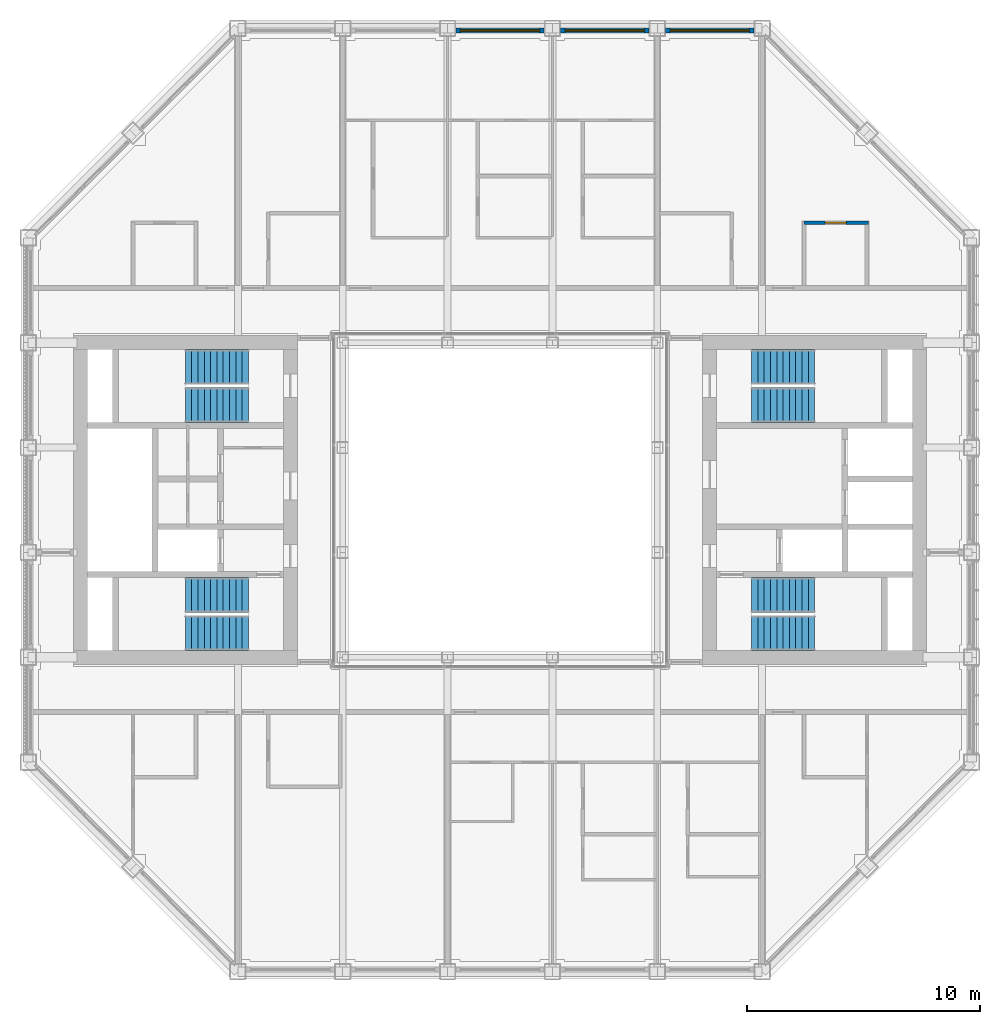
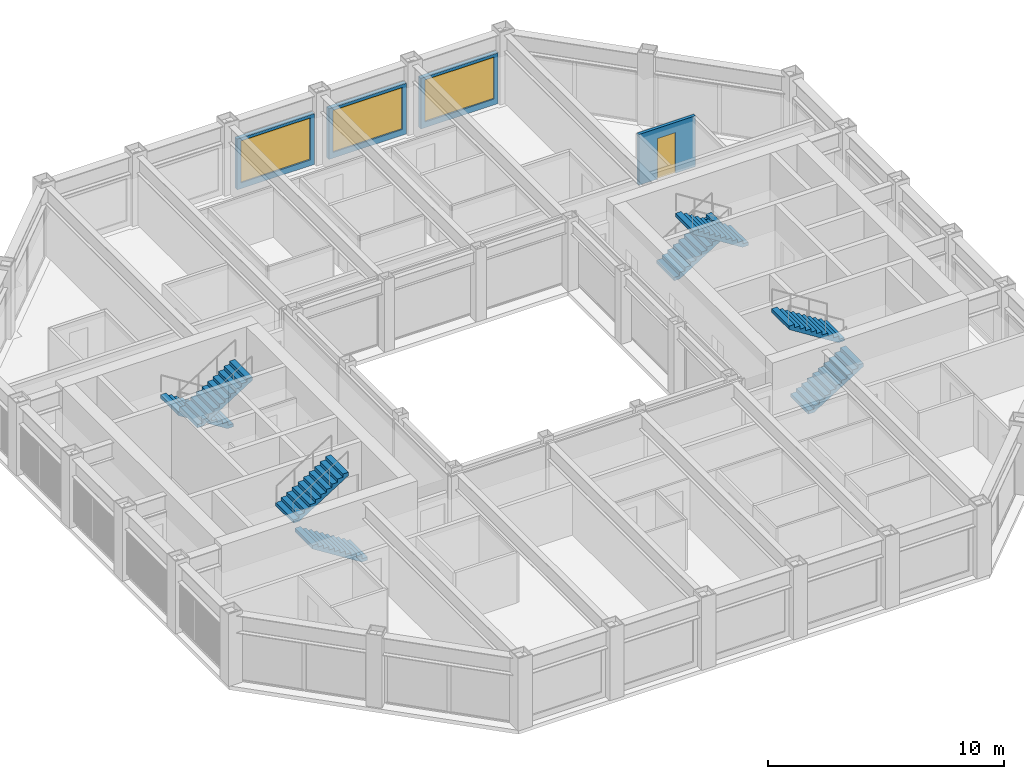
# One storey, part 13 of 17: 8 stair flights, 4 walls, 3 windows, 1 door, 4 openings, 4 elements without a shape of their own.
"""IFC4 building model written with IfcOpenShell, lengths in metres."""

from ifc_helpers import new_model, si_unit, direction, frame, frame_2d, origin, place, context, subcontext, project, spatial, polyline, rectangle, outline, extrude, material, layer, layer_set, type_object, element, fill, aggregate, save


model = new_model("IFC4")

# Units and contexts
model_context = context("Model", 3, precision=1e-05, world=origin(), true_north=direction((0.0, 1.0)))
body_context = subcontext(model_context, "Body", "Model", "MODEL_VIEW")
ifc_project = project(units=[si_unit("LENGTHUNIT", "METRE"), si_unit("AREAUNIT", "SQUARE_METRE"), si_unit("VOLUMEUNIT", "CUBIC_METRE"), si_unit("PLANEANGLEUNIT", "RADIAN"), si_unit("MASSUNIT", "GRAM", prefix="KILO")], contexts=[model_context])

# Site, building, storey
site_placement = place(None, origin())
site = spatial("IfcSite", under=ifc_project, at=site_placement, CompositionType="ELEMENT")
building_placement = place(site_placement, origin())
building = spatial("IfcBuilding", under=site, at=building_placement, Name="Msasa Ring Tower", CompositionType="ELEMENT")
storey_placement = place(building_placement, frame((0.0, 0.0, 242.050048828125)))
storey = spatial("IfcBuildingStorey", under=building, at=storey_placement, Name="L63", CompositionType="ELEMENT", Elevation=242.050048828125)

# Wall, opening, window
ifc_material_1 = material(Name="Terracotta rainscreen on blockwork", Category="masonry")
ifc_layer_1 = layer(ifc_material_1, 0.199951171875)
ifc_layer_set_1 = layer_set([ifc_layer_1], Name="FW1 TERRACOTTA-LINED INFILL BAY WALL 200")
wall_type_1 = type_object("IfcWallType", Name="FW1 TERRACOTTA-LINED INFILL BAY WALL 200", PredefinedType="SOLIDWALL", material=ifc_layer_set_1)
wall_1_placement = place(storey_placement, frame((-1.89501953125, 20.14990234375, 0.0), z_axis=(0.0, 0.0, 1.0), x_axis=(1.0, 0.0, 0.0)))
wall_1 = element("IfcWall", 1, at=wall_1_placement, inside=storey, type_object=wall_type_1, Name="Infill bay wall N L63 16", PredefinedType="SOLIDWALL", context=body_context, shape_type="SweptSolid", body=[
    extrude(rectangle(XDim=3.7900390625, YDim=0.199951171875, at=frame_2d((1.89501953125, 0.0))), origin(), (0.0, 0.0, 1.0), 2.62890625),
])
opening_1_placement = place(wall_1_placement, frame((0.195068359375, 0.0, 0.300048828125)))
opening_1 = element("IfcOpeningElement", 2, at=opening_1_placement, cuts=wall_1, Name="Opening WN3", PredefinedType="OPENING", context=body_context, shape_type="SweptSolid", body=[
    extrude(rectangle(XDim=3.39990234375, YDim=2.178955078125, at=frame_2d((1.699951171875, 1.08935546875))), frame((0.0, 0.10986328125, 0.0), z_axis=(0.0, -1.0, 0.0), x_axis=(1.0, 0.0, 0.0)), (0.0, 0.0, 1.0), 0.219970703125),
])
ifc_material_2 = material(Name="Aluminium frame with clear glass", Category="aluminium")
window_type = type_object("IfcWindowType", Name="WN3 SUITE WINDOW 3400x2179", PartitioningType="SINGLE_PANEL", PredefinedType="WINDOW", material=ifc_material_2)
window_1_placement = place(opening_1_placement, origin())
window_1 = element("IfcWindow", 3, at=window_1_placement, inside=storey, type_object=window_type, Name="Window N L63 16", OverallHeight=2.178955078125, OverallWidth=3.39990234375, PartitioningType="SINGLE_PANEL", PredefinedType="WINDOW", context=body_context, shape_type="SweptSolid", body=[
    extrude(rectangle(XDim=3.39990234375, YDim=2.178955078125, at=frame_2d((1.699951171875, 1.08935546875))), frame((0.0, 0.030029296875, 0.0), z_axis=(0.0, -1.0, 0.0), x_axis=(1.0, 0.0, 0.0)), (0.0, 0.0, 1.0), 0.06005859375),
])
fill(opening_1, window_1)

wall_2_placement = place(storey_placement, frame((2.60498046875, 20.14990234375, 0.0), z_axis=(0.0, 0.0, 1.0), x_axis=(1.0, 0.0, 0.0)))
wall_2 = element("IfcWall", 4, at=wall_2_placement, inside=storey, type_object=wall_type_1, Name="Infill bay wall N L63 17", PredefinedType="SOLIDWALL", context=body_context, shape_type="SweptSolid", body=[
    extrude(rectangle(XDim=3.7900390625, YDim=0.199951171875, at=frame_2d((1.89501953125, 0.0))), origin(), (0.0, 0.0, 1.0), 2.62890625),
])
opening_2_placement = place(wall_2_placement, frame((0.195068359375, 0.0, 0.300048828125)))
opening_2 = element("IfcOpeningElement", 5, at=opening_2_placement, cuts=wall_2, Name="Opening WN3", PredefinedType="OPENING", context=body_context, shape_type="SweptSolid", body=[
    extrude(rectangle(XDim=3.39990234375, YDim=2.178955078125, at=frame_2d((1.699951171875, 1.08935546875))), frame((0.0, 0.10986328125, 0.0), z_axis=(0.0, -1.0, 0.0), x_axis=(1.0, 0.0, 0.0)), (0.0, 0.0, 1.0), 0.219970703125),
])
window_2_placement = place(opening_2_placement, origin())
window_2 = element("IfcWindow", 6, at=window_2_placement, inside=storey, type_object=window_type, Name="Window N L63 17", OverallHeight=2.178955078125, OverallWidth=3.39990234375, PartitioningType="SINGLE_PANEL", PredefinedType="WINDOW", context=body_context, shape_type="SweptSolid", body=[
    extrude(rectangle(XDim=3.39990234375, YDim=2.178955078125, at=frame_2d((1.699951171875, 1.08935546875))), frame((0.0, 0.030029296875, 0.0), z_axis=(0.0, -1.0, 0.0), x_axis=(1.0, 0.0, 0.0)), (0.0, 0.0, 1.0), 0.06005859375),
])
fill(opening_2, window_2)

wall_3_placement = place(storey_placement, frame((7.10498046875, 20.14990234375, 0.0), z_axis=(0.0, 0.0, 1.0), x_axis=(1.0, 0.0, 0.0)))
wall_3 = element("IfcWall", 7, at=wall_3_placement, inside=storey, type_object=wall_type_1, Name="Infill bay wall N L63 18", PredefinedType="SOLIDWALL", context=body_context, shape_type="SweptSolid", body=[
    extrude(rectangle(XDim=3.7900390625, YDim=0.199951171875, at=frame_2d((1.89501953125, 0.0))), origin(), (0.0, 0.0, 1.0), 2.62890625),
])
opening_3_placement = place(wall_3_placement, frame((0.195068359375, 0.0, 0.300048828125)))
opening_3 = element("IfcOpeningElement", 8, at=opening_3_placement, cuts=wall_3, Name="Opening WN3", PredefinedType="OPENING", context=body_context, shape_type="SweptSolid", body=[
    extrude(rectangle(XDim=3.39990234375, YDim=2.178955078125, at=frame_2d((1.699951171875, 1.08935546875))), frame((0.0, 0.10986328125, 0.0), z_axis=(0.0, -1.0, 0.0), x_axis=(1.0, 0.0, 0.0)), (0.0, 0.0, 1.0), 0.219970703125),
])
window_3_placement = place(opening_3_placement, origin())
window_3 = element("IfcWindow", 9, at=window_3_placement, inside=storey, type_object=window_type, Name="Window N L63 18", OverallHeight=2.178955078125, OverallWidth=3.39990234375, PartitioningType="SINGLE_PANEL", PredefinedType="WINDOW", context=body_context, shape_type="SweptSolid", body=[
    extrude(rectangle(XDim=3.39990234375, YDim=2.178955078125, at=frame_2d((1.699951171875, 1.08935546875))), frame((0.0, 0.030029296875, 0.0), z_axis=(0.0, -1.0, 0.0), x_axis=(1.0, 0.0, 0.0)), (0.0, 0.0, 1.0), 0.06005859375),
])
fill(opening_3, window_3)

# Wall, opening, door
ifc_material_3 = material(Name="Moisture-resistant board on steel studs with a concealed cistern and pipe void, tiled", Category="steel")
ifc_layer_2 = layer(ifc_material_3, 0.14990234375)
ifc_layer_set_2 = layer_set([ifc_layer_2], Name="PT4 BATHROOM WET WALL 150")
wall_type_2 = type_object("IfcWallType", Name="PT4 BATHROOM WET WALL 150", PredefinedType="PARTITIONING", material=ifc_layer_set_2)
wall_4_placement = place(storey_placement, frame((13.050048828125, 11.89990234375, 0.0), z_axis=(0.0, 0.0, 1.0), x_axis=(1.0, 0.0, 0.0)))
wall_4 = element("IfcWall", 10, at=wall_4_placement, inside=storey, type_object=wall_type_2, Name="Partition L63-CSNEBY", PredefinedType="PARTITIONING", context=body_context, shape_type="SweptSolid", body=[
    extrude(rectangle(XDim=2.77490234375, YDim=0.14990234375, at=frame_2d((1.387451171875, 0.0))), origin(), (0.0, 0.0, 1.0), 2.62890625),
])
opening_4_placement = place(wall_4_placement, frame((0.89990234375, 0.0, 0.0)))
opening_4 = element("IfcOpeningElement", 11, at=opening_4_placement, cuts=wall_4, Name="Opening SD-010", PredefinedType="OPENING", context=body_context, shape_type="SweptSolid", body=[
    extrude(rectangle(XDim=0.89990234375, YDim=2.10009765625, at=frame_2d((0.449951171875, 1.050048828125))), frame((0.0, 0.0849609375, 0.0), z_axis=(0.0, -1.0, 0.0), x_axis=(1.0, 0.0, 0.0)), (0.0, 0.0, 1.0), 0.169921875),
])
ifc_material_4 = material(Name="Timber door leaf in a steel frame", Category="steel")
door_type = type_object("IfcDoorType", Name="D3 BATHROOM DOOR 900x2100", OperationType="SINGLE_SWING_LEFT", PredefinedType="DOOR", material=ifc_material_4)
door_placement = place(opening_4_placement, origin())
door = element("IfcDoor", 12, at=door_placement, inside=storey, type_object=door_type, Name="Door L63-CSNEB1", OperationType="SINGLE_SWING_LEFT", OverallHeight=2.10009765625, OverallWidth=0.89990234375, PredefinedType="DOOR", context=body_context, shape_type="SweptSolid", body=[
    extrude(rectangle(XDim=0.89990234375, YDim=2.10009765625, at=frame_2d((0.449951171875, 1.050048828125))), frame((0.0, 0.02490234375, 0.0), z_axis=(0.0, -1.0, 0.0), x_axis=(1.0, 0.0, 0.0)), (0.0, 0.0, 1.0), 0.050048828125),
])
fill(opening_4, door)

# Stair, stair flights
ifc_material_5 = material(Name="Concrete C40/50", Category="concrete")
stair_type = type_object("IfcStairType", Name="STC CORE STAIR 22 RISERS 170.5", PredefinedType="HALF_TURN_STAIR", material=ifc_material_5)
stair_1_placement = place(storey_placement, origin())
stair_1 = element("IfcStair", 13, at=stair_1_placement, inside=storey, type_object=stair_type, Name="Core stair SEA L63", PredefinedType="HALF_TURN_STAIR")
ifc_material_6 = material(Name="Concrete C40/50", Category="concrete")
stair_flight_type = type_object("IfcStairFlightType", Name="ST11 CORE STAIR FLIGHT 1500 11 RISERS 170.5", PredefinedType="STRAIGHT", material=ifc_material_6)
stair_flight_1_placement = place(storey_placement, frame((10.800048828125, -5.699951171875, 0.0), z_axis=(0.0, 0.0, 1.0), x_axis=(1.0, 0.0, 0.0)))
stair_flight_1 = element("IfcStairFlight", 14, at=stair_flight_1_placement, type_object=stair_flight_type, Name="SEA flight 1", NumberOfRisers=11, NumberOfTreads=10, PredefinedType="STRAIGHT", RiserHeight=0.170454545, TreadLength=0.27, context=body_context, shape_type="SweptSolid", body=[
    extrude(outline(polyline([(0.0, 0.0), (0.0, 0.17041015625), (0.27001953125, 0.17041015625), (0.27001953125, 0.3408203125), (0.5400390625, 0.3408203125), (0.5400390625, 0.511474609375), (0.81005859375, 0.511474609375), (0.81005859375, 0.681884765625), (1.080078125, 0.681884765625), (1.080078125, 0.852294921875), (1.35009765625, 0.852294921875), (1.35009765625, 1.022705078125), (1.6201171875, 1.022705078125), (1.6201171875, 1.193115234375), (1.889892578125, 1.193115234375), (1.889892578125, 1.363525390625), (2.159912109375, 1.363525390625), (2.159912109375, 1.5341796875), (2.429931640625, 1.5341796875), (2.429931640625, 1.70458984375), (2.699951171875, 1.70458984375), (2.699951171875, 1.875), (2.699951171875, 1.52734375), (0.28076171875, 0.0), (0.0, 0.0)])), frame((0.0, 0.75, 0.0), z_axis=(0.0, -1.0, 0.0), x_axis=(1.0, 0.0, 0.0)), (0.0, 0.0, 1.0), 1.5),
])
stair_flight_2_placement = place(storey_placement, frame((13.5, -4.074951171875, 1.875), z_axis=(0.0, 0.0, 1.0), x_axis=(-1.0, 0.0, 0.0)))
stair_flight_2 = element("IfcStairFlight", 15, at=stair_flight_2_placement, type_object=stair_flight_type, Name="SEA flight 2", NumberOfRisers=11, NumberOfTreads=10, PredefinedType="STRAIGHT", RiserHeight=0.170454545, TreadLength=0.27, context=body_context, shape_type="SweptSolid", body=[
    extrude(outline(polyline([(0.0, 0.0), (0.0, 0.17041015625), (0.27001953125, 0.17041015625), (0.27001953125, 0.3408203125), (0.5400390625, 0.3408203125), (0.5400390625, 0.511474609375), (0.81005859375, 0.511474609375), (0.81005859375, 0.681884765625), (1.080078125, 0.681884765625), (1.080078125, 0.852294921875), (1.35009765625, 0.852294921875), (1.35009765625, 1.022705078125), (1.6201171875, 1.022705078125), (1.6201171875, 1.193115234375), (1.889892578125, 1.193115234375), (1.889892578125, 1.363525390625), (2.159912109375, 1.363525390625), (2.159912109375, 1.5341796875), (2.429931640625, 1.5341796875), (2.429931640625, 1.70458984375), (2.699951171875, 1.70458984375), (2.699951171875, 1.875), (2.699951171875, 1.52734375), (0.28076171875, 0.0), (0.0, 0.0)])), frame((0.0, 0.75, 0.0), z_axis=(0.0, -1.0, 0.0), x_axis=(1.0, 0.0, 0.0)), (0.0, 0.0, 1.0), 1.5),
])
aggregate(stair_1, [stair_flight_1, stair_flight_2])

stair_2_placement = place(storey_placement, origin())
stair_2 = element("IfcStair", 16, at=stair_2_placement, inside=storey, type_object=stair_type, Name="Core stair SEB L63", PredefinedType="HALF_TURN_STAIR")
stair_flight_3_placement = place(storey_placement, frame((10.800048828125, 5.699951171875, 0.0), z_axis=(0.0, 0.0, 1.0), x_axis=(1.0, 0.0, 0.0)))
stair_flight_3 = element("IfcStairFlight", 17, at=stair_flight_3_placement, type_object=stair_flight_type, Name="SEB flight 1", NumberOfRisers=11, NumberOfTreads=10, PredefinedType="STRAIGHT", RiserHeight=0.170454545, TreadLength=0.27, context=body_context, shape_type="SweptSolid", body=[
    extrude(outline(polyline([(0.0, 0.0), (0.0, 0.17041015625), (0.27001953125, 0.17041015625), (0.27001953125, 0.3408203125), (0.5400390625, 0.3408203125), (0.5400390625, 0.511474609375), (0.81005859375, 0.511474609375), (0.81005859375, 0.681884765625), (1.080078125, 0.681884765625), (1.080078125, 0.852294921875), (1.35009765625, 0.852294921875), (1.35009765625, 1.022705078125), (1.6201171875, 1.022705078125), (1.6201171875, 1.193115234375), (1.889892578125, 1.193115234375), (1.889892578125, 1.363525390625), (2.159912109375, 1.363525390625), (2.159912109375, 1.5341796875), (2.429931640625, 1.5341796875), (2.429931640625, 1.70458984375), (2.699951171875, 1.70458984375), (2.699951171875, 1.875), (2.699951171875, 1.52734375), (0.28076171875, 0.0), (0.0, 0.0)])), frame((0.0, 0.75, 0.0), z_axis=(0.0, -1.0, 0.0), x_axis=(1.0, 0.0, 0.0)), (0.0, 0.0, 1.0), 1.5),
])
stair_flight_4_placement = place(storey_placement, frame((13.5, 4.074951171875, 1.875), z_axis=(0.0, 0.0, 1.0), x_axis=(-1.0, 0.0, 0.0)))
stair_flight_4 = element("IfcStairFlight", 18, at=stair_flight_4_placement, type_object=stair_flight_type, Name="SEB flight 2", NumberOfRisers=11, NumberOfTreads=10, PredefinedType="STRAIGHT", RiserHeight=0.170454545, TreadLength=0.27, context=body_context, shape_type="SweptSolid", body=[
    extrude(outline(polyline([(0.0, 0.0), (0.0, 0.17041015625), (0.27001953125, 0.17041015625), (0.27001953125, 0.3408203125), (0.5400390625, 0.3408203125), (0.5400390625, 0.511474609375), (0.81005859375, 0.511474609375), (0.81005859375, 0.681884765625), (1.080078125, 0.681884765625), (1.080078125, 0.852294921875), (1.35009765625, 0.852294921875), (1.35009765625, 1.022705078125), (1.6201171875, 1.022705078125), (1.6201171875, 1.193115234375), (1.889892578125, 1.193115234375), (1.889892578125, 1.363525390625), (2.159912109375, 1.363525390625), (2.159912109375, 1.5341796875), (2.429931640625, 1.5341796875), (2.429931640625, 1.70458984375), (2.699951171875, 1.70458984375), (2.699951171875, 1.875), (2.699951171875, 1.52734375), (0.28076171875, 0.0), (0.0, 0.0)])), frame((0.0, 0.75, 0.0), z_axis=(0.0, -1.0, 0.0), x_axis=(1.0, 0.0, 0.0)), (0.0, 0.0, 1.0), 1.5),
])
aggregate(stair_2, [stair_flight_3, stair_flight_4])

stair_3_placement = place(storey_placement, origin())
stair_3 = element("IfcStair", 19, at=stair_3_placement, inside=storey, type_object=stair_type, Name="Core stair SWA L63", PredefinedType="HALF_TURN_STAIR")
stair_flight_5_placement = place(storey_placement, frame((-10.800048828125, -5.699951171875, 0.0), z_axis=(0.0, 0.0, 1.0), x_axis=(-1.0, 0.0, 0.0)))
stair_flight_5 = element("IfcStairFlight", 20, at=stair_flight_5_placement, type_object=stair_flight_type, Name="SWA flight 1", NumberOfRisers=11, NumberOfTreads=10, PredefinedType="STRAIGHT", RiserHeight=0.170454545, TreadLength=0.27, context=body_context, shape_type="SweptSolid", body=[
    extrude(outline(polyline([(0.0, 0.0), (0.0, 0.17041015625), (0.27001953125, 0.17041015625), (0.27001953125, 0.3408203125), (0.5400390625, 0.3408203125), (0.5400390625, 0.511474609375), (0.81005859375, 0.511474609375), (0.81005859375, 0.681884765625), (1.080078125, 0.681884765625), (1.080078125, 0.852294921875), (1.35009765625, 0.852294921875), (1.35009765625, 1.022705078125), (1.6201171875, 1.022705078125), (1.6201171875, 1.193115234375), (1.889892578125, 1.193115234375), (1.889892578125, 1.363525390625), (2.159912109375, 1.363525390625), (2.159912109375, 1.5341796875), (2.429931640625, 1.5341796875), (2.429931640625, 1.70458984375), (2.699951171875, 1.70458984375), (2.699951171875, 1.875), (2.699951171875, 1.52734375), (0.28076171875, 0.0), (0.0, 0.0)])), frame((0.0, 0.75, 0.0), z_axis=(0.0, -1.0, 0.0), x_axis=(1.0, 0.0, 0.0)), (0.0, 0.0, 1.0), 1.5),
])
stair_flight_6_placement = place(storey_placement, frame((-13.5, -4.074951171875, 1.875), z_axis=(0.0, 0.0, 1.0), x_axis=(1.0, 0.0, 0.0)))
stair_flight_6 = element("IfcStairFlight", 21, at=stair_flight_6_placement, type_object=stair_flight_type, Name="SWA flight 2", NumberOfRisers=11, NumberOfTreads=10, PredefinedType="STRAIGHT", RiserHeight=0.170454545, TreadLength=0.27, context=body_context, shape_type="SweptSolid", body=[
    extrude(outline(polyline([(0.0, 0.0), (0.0, 0.17041015625), (0.27001953125, 0.17041015625), (0.27001953125, 0.3408203125), (0.5400390625, 0.3408203125), (0.5400390625, 0.511474609375), (0.81005859375, 0.511474609375), (0.81005859375, 0.681884765625), (1.080078125, 0.681884765625), (1.080078125, 0.852294921875), (1.35009765625, 0.852294921875), (1.35009765625, 1.022705078125), (1.6201171875, 1.022705078125), (1.6201171875, 1.193115234375), (1.889892578125, 1.193115234375), (1.889892578125, 1.363525390625), (2.159912109375, 1.363525390625), (2.159912109375, 1.5341796875), (2.429931640625, 1.5341796875), (2.429931640625, 1.70458984375), (2.699951171875, 1.70458984375), (2.699951171875, 1.875), (2.699951171875, 1.52734375), (0.28076171875, 0.0), (0.0, 0.0)])), frame((0.0, 0.75, 0.0), z_axis=(0.0, -1.0, 0.0), x_axis=(1.0, 0.0, 0.0)), (0.0, 0.0, 1.0), 1.5),
])
aggregate(stair_3, [stair_flight_5, stair_flight_6])

stair_4_placement = place(storey_placement, origin())
stair_4 = element("IfcStair", 22, at=stair_4_placement, inside=storey, type_object=stair_type, Name="Core stair SWB L63", PredefinedType="HALF_TURN_STAIR")
stair_flight_7_placement = place(storey_placement, frame((-10.800048828125, 5.699951171875, 0.0), z_axis=(0.0, 0.0, 1.0), x_axis=(-1.0, 0.0, 0.0)))
stair_flight_7 = element("IfcStairFlight", 23, at=stair_flight_7_placement, type_object=stair_flight_type, Name="SWB flight 1", NumberOfRisers=11, NumberOfTreads=10, PredefinedType="STRAIGHT", RiserHeight=0.170454545, TreadLength=0.27, context=body_context, shape_type="SweptSolid", body=[
    extrude(outline(polyline([(0.0, 0.0), (0.0, 0.17041015625), (0.27001953125, 0.17041015625), (0.27001953125, 0.3408203125), (0.5400390625, 0.3408203125), (0.5400390625, 0.511474609375), (0.81005859375, 0.511474609375), (0.81005859375, 0.681884765625), (1.080078125, 0.681884765625), (1.080078125, 0.852294921875), (1.35009765625, 0.852294921875), (1.35009765625, 1.022705078125), (1.6201171875, 1.022705078125), (1.6201171875, 1.193115234375), (1.889892578125, 1.193115234375), (1.889892578125, 1.363525390625), (2.159912109375, 1.363525390625), (2.159912109375, 1.5341796875), (2.429931640625, 1.5341796875), (2.429931640625, 1.70458984375), (2.699951171875, 1.70458984375), (2.699951171875, 1.875), (2.699951171875, 1.52734375), (0.28076171875, 0.0), (0.0, 0.0)])), frame((0.0, 0.75, 0.0), z_axis=(0.0, -1.0, 0.0), x_axis=(1.0, 0.0, 0.0)), (0.0, 0.0, 1.0), 1.5),
])
stair_flight_8_placement = place(storey_placement, frame((-13.5, 4.074951171875, 1.875), z_axis=(0.0, 0.0, 1.0), x_axis=(1.0, 0.0, 0.0)))
stair_flight_8 = element("IfcStairFlight", 24, at=stair_flight_8_placement, type_object=stair_flight_type, Name="SWB flight 2", NumberOfRisers=11, NumberOfTreads=10, PredefinedType="STRAIGHT", RiserHeight=0.170454545, TreadLength=0.27, context=body_context, shape_type="SweptSolid", body=[
    extrude(outline(polyline([(0.0, 0.0), (0.0, 0.17041015625), (0.27001953125, 0.17041015625), (0.27001953125, 0.3408203125), (0.5400390625, 0.3408203125), (0.5400390625, 0.511474609375), (0.81005859375, 0.511474609375), (0.81005859375, 0.681884765625), (1.080078125, 0.681884765625), (1.080078125, 0.852294921875), (1.35009765625, 0.852294921875), (1.35009765625, 1.022705078125), (1.6201171875, 1.022705078125), (1.6201171875, 1.193115234375), (1.889892578125, 1.193115234375), (1.889892578125, 1.363525390625), (2.159912109375, 1.363525390625), (2.159912109375, 1.5341796875), (2.429931640625, 1.5341796875), (2.429931640625, 1.70458984375), (2.699951171875, 1.70458984375), (2.699951171875, 1.875), (2.699951171875, 1.52734375), (0.28076171875, 0.0), (0.0, 0.0)])), frame((0.0, 0.75, 0.0), z_axis=(0.0, -1.0, 0.0), x_axis=(1.0, 0.0, 0.0)), (0.0, 0.0, 1.0), 1.5),
])
aggregate(stair_4, [stair_flight_7, stair_flight_8])

save(model, "model.ifc")
